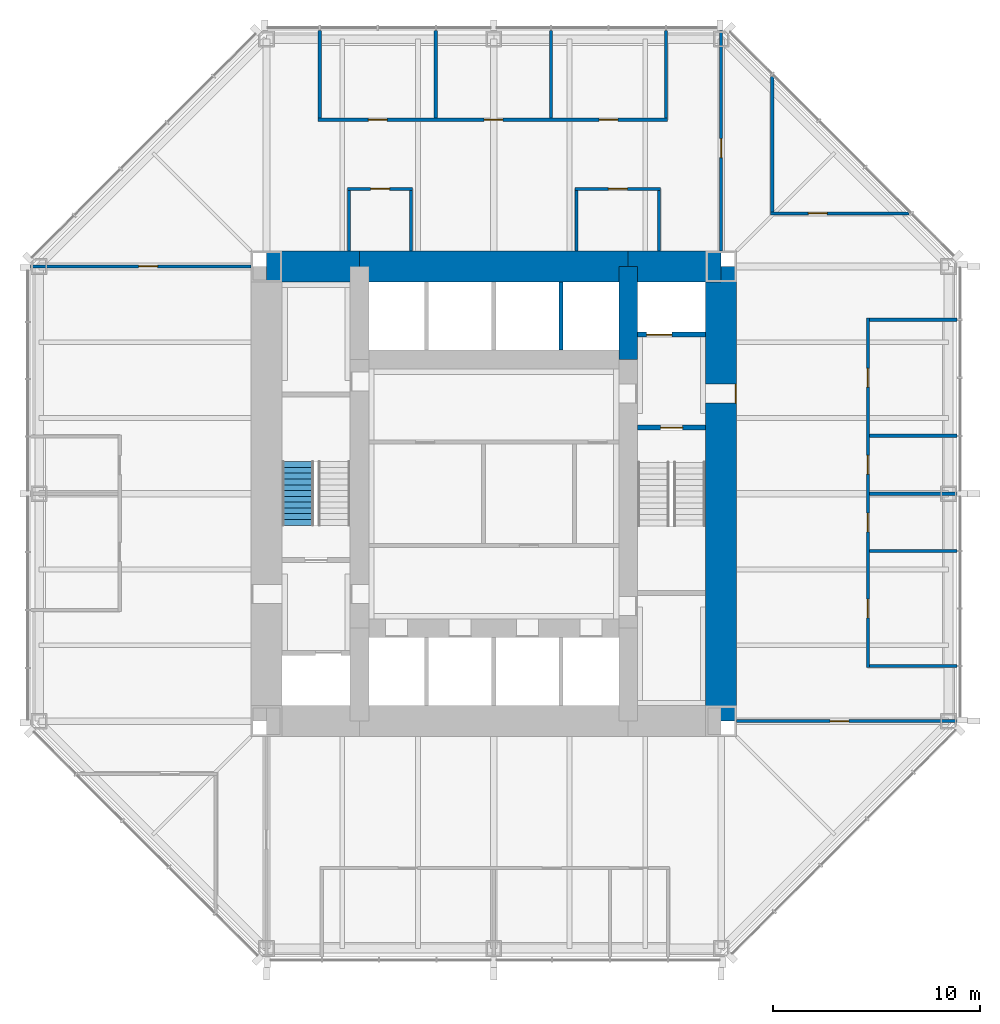
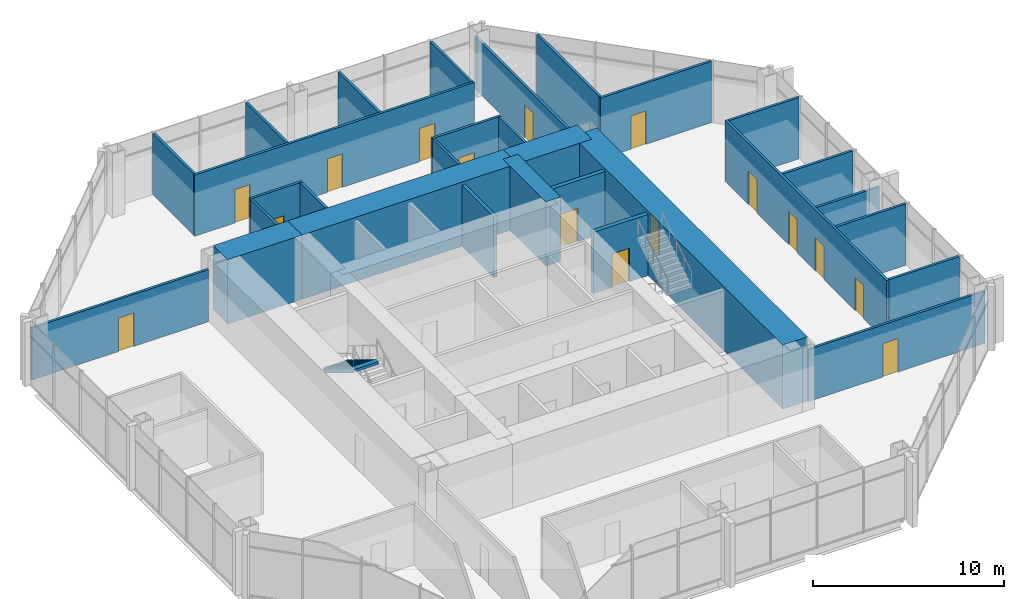
# One storey, part 10 of 12: 30 walls, 16 doors, 1 stair flight, 16 openings, 1 element without a shape of its own.
"""IFC4 building model written with IfcOpenShell, lengths in metres."""

from ifc_helpers import new_model, si_unit, direction, frame, frame_2d, origin, place, context, subcontext, project, spatial, polyline, rectangle, outline, extrude, material, layer, layer_set, type_object, element, fill, aggregate, save


model = new_model("IFC4")

# Units and contexts
model_context = context("Model", 3, precision=1e-05, world=origin(), true_north=direction((0.0, 1.0)))
body_context = subcontext(model_context, "Body", "Model", "MODEL_VIEW")
ifc_project = project(units=[si_unit("LENGTHUNIT", "METRE"), si_unit("AREAUNIT", "SQUARE_METRE"), si_unit("VOLUMEUNIT", "CUBIC_METRE"), si_unit("PLANEANGLEUNIT", "RADIAN"), si_unit("MASSUNIT", "GRAM", prefix="KILO")], contexts=[model_context])

# Site, building, storey
site_placement = place(None, origin())
site = spatial("IfcSite", under=ifc_project, at=site_placement, CompositionType="ELEMENT")
building_placement = place(site_placement, origin())
building = spatial("IfcBuilding", under=site, at=building_placement, Name="Trevanion Tower", CompositionType="ELEMENT")
storey_placement = place(building_placement, frame((0.0, 0.0, 150.0)))
storey = spatial("IfcBuildingStorey", under=building, at=storey_placement, Name="L35", CompositionType="ELEMENT", Elevation=150.0)

# Wall, opening, door
ifc_material_1 = material(Name="Concrete 10,000 psi", Category="concrete")
ifc_layer_1 = layer(ifc_material_1, 1.5)
ifc_layer_set_1 = layer_set([ifc_layer_1], Name="CW1 core wall 1500")
wall_type_1 = type_object("IfcWallType", Name="CW1 core wall 1500", PredefinedType="SHEAR", material=ifc_layer_set_1)
wall_1_placement = place(storey_placement, frame((11.0, -11.0, 0.0), z_axis=(0.0, 0.0, 1.0), x_axis=(0.0, 1.0, 0.0)))
wall_1 = element("IfcWall", 1, at=wall_1_placement, inside=storey, type_object=wall_type_1, Name="CW1 CE L35", PredefinedType="SHEAR", context=body_context, shape_type="SweptSolid", body=[
    extrude(rectangle(XDim=22.0, YDim=1.5, at=frame_2d((11.0, 0.0))), origin(), (0.0, 0.0, 1.0), 4.10009765625),
])
opening_1_placement = place(wall_1_placement, frame((15.392578125, 0.0, 0.0)))
opening_1 = element("IfcOpeningElement", 2, at=opening_1_placement, cuts=wall_1, Name="Opening 35-001", PredefinedType="OPENING", context=body_context, shape_type="SweptSolid", body=[
    extrude(rectangle(XDim=0.9150390625, YDim=2.134033203125, at=frame_2d((0.45751953125, 1.06689453125))), frame((0.0, 0.760009765625, 0.0), z_axis=(0.0, -1.0, 0.0), x_axis=(1.0, 0.0, 0.0)), (0.0, 0.0, 1.0), 1.52001953125),
])
ifc_material_2 = material(Name="Hollow metal, fire rated", Category="steel")
door_type_1 = type_object("IfcDoorType", Name="D3 fire lift lobby door", OperationType="SINGLE_SWING_RIGHT", PredefinedType="DOOR", material=ifc_material_2)
door_1_placement = place(opening_1_placement, origin())
door_1 = element("IfcDoor", 3, at=door_1_placement, inside=storey, type_object=door_type_1, Name="Door 35-001", OperationType="SINGLE_SWING_RIGHT", OverallHeight=2.134033203125, OverallWidth=0.9150390625, PredefinedType="DOOR", context=body_context, shape_type="SweptSolid", body=[
    extrude(rectangle(XDim=0.9150390625, YDim=2.134033203125, at=frame_2d((0.45751953125, 1.06689453125))), frame((0.0, -0.6748046875, 0.0), z_axis=(0.0, -1.0, 0.0), x_axis=(1.0, 0.0, 0.0)), (0.0, 0.0, 1.0), 0.050048828125),
])
fill(opening_1, door_1)

# Walls
wall_2_placement = place(storey_placement, frame((11.0, 11.0, 0.0), z_axis=(0.0, 0.0, 1.0), x_axis=(-1.0, 0.0, 0.0)))
element("IfcWall", 4, at=wall_2_placement, inside=storey, type_object=wall_type_1, Name="CW1 CN1 L35", PredefinedType="SHEAR", context=body_context, shape_type="SweptSolid", body=[
    extrude(rectangle(XDim=4.5, YDim=1.5, at=frame_2d((2.25, 0.0))), origin(), (0.0, 0.0, 1.0), 4.10009765625),
])
wall_3_placement = place(storey_placement, frame((6.5, 11.0, 0.0), z_axis=(0.0, 0.0, 1.0), x_axis=(-1.0, 0.0, 0.0)))
element("IfcWall", 5, at=wall_3_placement, inside=storey, type_object=wall_type_1, Name="CW1 CN2 L35", PredefinedType="SHEAR", context=body_context, shape_type="SweptSolid", body=[
    extrude(rectangle(XDim=13.0, YDim=1.5, at=frame_2d((6.5, 0.0))), origin(), (0.0, 0.0, 1.0), 4.10009765625),
])
wall_4_placement = place(storey_placement, frame((-6.5, 11.0, 0.0), z_axis=(0.0, 0.0, 1.0), x_axis=(-1.0, 0.0, 0.0)))
element("IfcWall", 6, at=wall_4_placement, inside=storey, type_object=wall_type_1, Name="CW1 CN3 L35", PredefinedType="SHEAR", context=body_context, shape_type="SweptSolid", body=[
    extrude(rectangle(XDim=4.5, YDim=1.5, at=frame_2d((2.25, 0.0))), origin(), (0.0, 0.0, 1.0), 4.10009765625),
])
ifc_material_3 = material(Name="Concrete 10,000 psi", Category="concrete")
ifc_layer_2 = layer(ifc_material_3, 0.89990234375)
ifc_layer_set_2 = layer_set([ifc_layer_2], Name="CW2 core wall 900")
wall_type_2 = type_object("IfcWallType", Name="CW2 core wall 900", PredefinedType="SHEAR", material=ifc_layer_set_2)
wall_5_placement = place(storey_placement, frame((6.5, 6.5, 0.0), z_axis=(0.0, 0.0, 1.0), x_axis=(0.0, 1.0, 0.0)))
element("IfcWall", 7, at=wall_5_placement, inside=storey, type_object=wall_type_2, Name="CW2 RE3 L35", PredefinedType="SHEAR", context=body_context, shape_type="SweptSolid", body=[
    extrude(rectangle(XDim=4.5, YDim=0.89990234375, at=frame_2d((2.25, 0.0))), origin(), (0.0, 0.0, 1.0), 4.10009765625),
])

# Wall, opening, door
ifc_material_4 = material(Name="Gypsum board on steel studs", Category="steel")
ifc_layer_3 = layer(ifc_material_4, 0.14990234375)
ifc_layer_set_3 = layer_set([ifc_layer_3], Name="PT1 partition 150")
wall_type_3 = type_object("IfcWallType", Name="PT1 partition 150", PredefinedType="PARTITIONING", material=ifc_layer_set_3)
wall_6_placement = place(storey_placement, frame((11.0, 11.75, 0.0), z_axis=(0.0, 0.0, 1.0), x_axis=(0.0, 1.0, 0.0)))
wall_6 = element("IfcWall", 8, at=wall_6_placement, inside=storey, type_object=wall_type_3, Name="PT1 L35 ZW0", PredefinedType="PARTITIONING", context=body_context, shape_type="SweptSolid", body=[
    extrude(rectangle(XDim=10.6650390625, YDim=0.14990234375, at=frame_2d((5.33251953125, 0.0))), origin(), (0.0, 0.0, 1.0), 3.32568359375),
])
opening_2_placement = place(wall_6_placement, frame((4.517578125, 0.0, 0.0)))
opening_2 = element("IfcOpeningElement", 9, at=opening_2_placement, cuts=wall_6, Name="Opening 35-018", PredefinedType="OPENING", context=body_context, shape_type="SweptSolid", body=[
    extrude(rectangle(XDim=0.9150390625, YDim=2.134033203125, at=frame_2d((0.45751953125, 1.06689453125))), frame((0.0, 0.0849609375, 0.0), z_axis=(0.0, -1.0, 0.0), x_axis=(1.0, 0.0, 0.0)), (0.0, 0.0, 1.0), 0.169921875),
])
ifc_material_5 = material(Name="Timber veneer, solid core", Category="wood")
door_type_2 = type_object("IfcDoorType", Name="D1 office and meeting room door", OperationType="SINGLE_SWING_LEFT", PredefinedType="DOOR", material=ifc_material_5)
door_2_placement = place(opening_2_placement, origin())
door_2 = element("IfcDoor", 10, at=door_2_placement, inside=storey, type_object=door_type_2, Name="Door 35-018", OperationType="SINGLE_SWING_LEFT", OverallHeight=2.134033203125, OverallWidth=0.9150390625, PredefinedType="DOOR", context=body_context, shape_type="SweptSolid", body=[
    extrude(rectangle(XDim=0.9150390625, YDim=2.134033203125, at=frame_2d((0.45751953125, 1.06689453125))), frame((0.0, 0.02490234375, 0.0), z_axis=(0.0, -1.0, 0.0), x_axis=(1.0, 0.0, 0.0)), (0.0, 0.0, 1.0), 0.050048828125),
])
fill(opening_2, door_2)

wall_7_placement = place(storey_placement, frame((-11.75, 11.0, 0.0), z_axis=(0.0, 0.0, 1.0), x_axis=(-1.0, 0.0, 0.0)))
wall_7 = element("IfcWall", 11, at=wall_7_placement, inside=storey, type_object=wall_type_3, Name="PT1 L35 ZW1", PredefinedType="PARTITIONING", context=body_context, shape_type="SweptSolid", body=[
    extrude(rectangle(XDim=10.6650390625, YDim=0.14990234375, at=frame_2d((5.33251953125, 0.0))), origin(), (0.0, 0.0, 1.0), 3.32568359375),
])
opening_3_placement = place(wall_7_placement, frame((4.517578125, 0.0, 0.0)))
opening_3 = element("IfcOpeningElement", 12, at=opening_3_placement, cuts=wall_7, Name="Opening 35-019", PredefinedType="OPENING", context=body_context, shape_type="SweptSolid", body=[
    extrude(rectangle(XDim=0.9150390625, YDim=2.134033203125, at=frame_2d((0.45751953125, 1.06689453125))), frame((0.0, 0.0849609375, 0.0), z_axis=(0.0, -1.0, 0.0), x_axis=(1.0, 0.0, 0.0)), (0.0, 0.0, 1.0), 0.169921875),
])
door_3_placement = place(opening_3_placement, origin())
door_3 = element("IfcDoor", 13, at=door_3_placement, inside=storey, type_object=door_type_2, Name="Door 35-019", OperationType="SINGLE_SWING_LEFT", OverallHeight=2.134033203125, OverallWidth=0.9150390625, PredefinedType="DOOR", context=body_context, shape_type="SweptSolid", body=[
    extrude(rectangle(XDim=0.9150390625, YDim=2.134033203125, at=frame_2d((0.45751953125, 1.06689453125))), frame((0.0, 0.02490234375, 0.0), z_axis=(0.0, -1.0, 0.0), x_axis=(1.0, 0.0, 0.0)), (0.0, 0.0, 1.0), 0.050048828125),
])
fill(opening_3, door_3)

wall_8_placement = place(storey_placement, frame((11.75, -11.0, 0.0), z_axis=(0.0, 0.0, 1.0), x_axis=(1.0, 0.0, 0.0)))
wall_8 = element("IfcWall", 14, at=wall_8_placement, inside=storey, type_object=wall_type_3, Name="PT1 L35 ZW3", PredefinedType="PARTITIONING", context=body_context, shape_type="SweptSolid", body=[
    extrude(rectangle(XDim=10.6650390625, YDim=0.14990234375, at=frame_2d((5.33251953125, 0.0))), origin(), (0.0, 0.0, 1.0), 3.32568359375),
])
opening_4_placement = place(wall_8_placement, frame((4.517578125, 0.0, 0.0)))
opening_4 = element("IfcOpeningElement", 15, at=opening_4_placement, cuts=wall_8, Name="Opening 35-021", PredefinedType="OPENING", context=body_context, shape_type="SweptSolid", body=[
    extrude(rectangle(XDim=0.9150390625, YDim=2.134033203125, at=frame_2d((0.45751953125, 1.06689453125))), frame((0.0, 0.0849609375, 0.0), z_axis=(0.0, -1.0, 0.0), x_axis=(1.0, 0.0, 0.0)), (0.0, 0.0, 1.0), 0.169921875),
])
door_4_placement = place(opening_4_placement, origin())
door_4 = element("IfcDoor", 16, at=door_4_placement, inside=storey, type_object=door_type_2, Name="Door 35-021", OperationType="SINGLE_SWING_LEFT", OverallHeight=2.134033203125, OverallWidth=0.9150390625, PredefinedType="DOOR", context=body_context, shape_type="SweptSolid", body=[
    extrude(rectangle(XDim=0.9150390625, YDim=2.134033203125, at=frame_2d((0.45751953125, 1.06689453125))), frame((0.0, 0.02490234375, 0.0), z_axis=(0.0, -1.0, 0.0), x_axis=(1.0, 0.0, 0.0)), (0.0, 0.0, 1.0), 0.050048828125),
])
fill(opening_4, door_4)

wall_9_placement = place(storey_placement, frame((13.39892578125, 13.56591796875, 0.0), z_axis=(0.0, 0.0, 1.0), x_axis=(1.0, 0.0, 0.0)))
wall_9 = element("IfcWall", 17, at=wall_9_placement, inside=storey, type_object=wall_type_3, Name="PT1 L35 KW0a", PredefinedType="PARTITIONING", context=body_context, shape_type="SweptSolid", body=[
    extrude(rectangle(XDim=6.697998046875, YDim=0.14990234375, at=frame_2d((3.34912109375, 0.0))), origin(), (0.0, 0.0, 1.0), 3.909912109375),
])
opening_5_placement = place(wall_9_placement, frame((1.8173828125, 0.0, 0.0)))
opening_5 = element("IfcOpeningElement", 18, at=opening_5_placement, cuts=wall_9, Name="Opening 35-022", PredefinedType="OPENING", context=body_context, shape_type="SweptSolid", body=[
    extrude(rectangle(XDim=0.9150390625, YDim=2.134033203125, at=frame_2d((0.45751953125, 1.06689453125))), frame((0.0, 0.0849609375, 0.0), z_axis=(0.0, -1.0, 0.0), x_axis=(1.0, 0.0, 0.0)), (0.0, 0.0, 1.0), 0.169921875),
])
door_5_placement = place(opening_5_placement, origin())
door_5 = element("IfcDoor", 19, at=door_5_placement, inside=storey, type_object=door_type_2, Name="Door 35-022", OperationType="SINGLE_SWING_LEFT", OverallHeight=2.134033203125, OverallWidth=0.9150390625, PredefinedType="DOOR", context=body_context, shape_type="SweptSolid", body=[
    extrude(rectangle(XDim=0.9150390625, YDim=2.134033203125, at=frame_2d((0.45751953125, 1.06689453125))), frame((0.0, 0.02490234375, 0.0), z_axis=(0.0, -1.0, 0.0), x_axis=(1.0, 0.0, 0.0)), (0.0, 0.0, 1.0), 0.050048828125),
])
fill(opening_5, door_5)

# Wall
wall_10_placement = place(storey_placement, frame((13.47412109375, 13.64111328125, 0.0), z_axis=(0.0, 0.0, 1.0), x_axis=(0.0, 1.0, 0.0)))
element("IfcWall", 20, at=wall_10_placement, inside=storey, type_object=wall_type_3, Name="PT1 L35 KW0b", PredefinedType="PARTITIONING", context=body_context, shape_type="SweptSolid", body=[
    extrude(rectangle(XDim=6.5478515625, YDim=0.14990234375, at=frame_2d((3.27392578125, 0.0))), origin(), (0.0, 0.0, 1.0), 3.909912109375),
])

# Wall, openings, doors
wall_11_placement = place(storey_placement, frame((8.39794921875, 18.10009765625, 0.0), z_axis=(0.0, 0.0, 1.0), x_axis=(-1.0, 0.0, 0.0)))
wall_11 = element("IfcWall", 21, at=wall_11_placement, inside=storey, type_object=wall_type_3, Name="PT1 L35 FC1F", PredefinedType="PARTITIONING", context=body_context, shape_type="SweptSolid", body=[
    extrude(rectangle(XDim=16.89404296875, YDim=0.14990234375, at=frame_2d((8.447021484375, 0.0))), origin(), (0.0, 0.0, 1.0), 3.909912109375),
])
opening_6_placement = place(wall_11_placement, frame((2.3916015625, 0.0, 0.0)))
opening_6 = element("IfcOpeningElement", 22, at=opening_6_placement, cuts=wall_11, Name="Opening 35-024", PredefinedType="OPENING", context=body_context, shape_type="SweptSolid", body=[
    extrude(rectangle(XDim=0.9150390625, YDim=2.134033203125, at=frame_2d((0.45751953125, 1.06689453125))), frame((0.0, 0.0849609375, 0.0), z_axis=(0.0, -1.0, 0.0), x_axis=(1.0, 0.0, 0.0)), (0.0, 0.0, 1.0), 0.169921875),
])
opening_7_placement = place(wall_11_placement, frame((7.95654296875, 0.0, 0.0)))
opening_7 = element("IfcOpeningElement", 23, at=opening_7_placement, cuts=wall_11, Name="Opening 35-025", PredefinedType="OPENING", context=body_context, shape_type="SweptSolid", body=[
    extrude(rectangle(XDim=0.9150390625, YDim=2.134033203125, at=frame_2d((0.45751953125, 1.06689453125))), frame((0.0, 0.0849609375, 0.0), z_axis=(0.0, -1.0, 0.0), x_axis=(1.0, 0.0, 0.0)), (0.0, 0.0, 1.0), 0.169921875),
])
opening_8_placement = place(wall_11_placement, frame((13.554443359375, 0.0, 0.0)))
opening_8 = element("IfcOpeningElement", 24, at=opening_8_placement, cuts=wall_11, Name="Opening 35-026", PredefinedType="OPENING", context=body_context, shape_type="SweptSolid", body=[
    extrude(rectangle(XDim=0.9150390625, YDim=2.134033203125, at=frame_2d((0.45751953125, 1.06689453125))), frame((0.0, 0.0849609375, 0.0), z_axis=(0.0, -1.0, 0.0), x_axis=(1.0, 0.0, 0.0)), (0.0, 0.0, 1.0), 0.169921875),
])
door_6_placement = place(opening_6_placement, origin())
door_6 = element("IfcDoor", 25, at=door_6_placement, inside=storey, type_object=door_type_2, Name="Door 35-024", OperationType="SINGLE_SWING_LEFT", OverallHeight=2.134033203125, OverallWidth=0.9150390625, PredefinedType="DOOR", context=body_context, shape_type="SweptSolid", body=[
    extrude(rectangle(XDim=0.9150390625, YDim=2.134033203125, at=frame_2d((0.45751953125, 1.06689453125))), frame((0.0, 0.02490234375, 0.0), z_axis=(0.0, -1.0, 0.0), x_axis=(1.0, 0.0, 0.0)), (0.0, 0.0, 1.0), 0.050048828125),
])
fill(opening_6, door_6)
door_7_placement = place(opening_7_placement, origin())
door_7 = element("IfcDoor", 26, at=door_7_placement, inside=storey, type_object=door_type_2, Name="Door 35-025", OperationType="SINGLE_SWING_LEFT", OverallHeight=2.134033203125, OverallWidth=0.9150390625, PredefinedType="DOOR", context=body_context, shape_type="SweptSolid", body=[
    extrude(rectangle(XDim=0.9150390625, YDim=2.134033203125, at=frame_2d((0.45751953125, 1.06689453125))), frame((0.0, 0.02490234375, 0.0), z_axis=(0.0, -1.0, 0.0), x_axis=(1.0, 0.0, 0.0)), (0.0, 0.0, 1.0), 0.050048828125),
])
fill(opening_7, door_7)
door_8_placement = place(opening_8_placement, origin())
door_8 = element("IfcDoor", 27, at=door_8_placement, inside=storey, type_object=door_type_2, Name="Door 35-026", OperationType="SINGLE_SWING_LEFT", OverallHeight=2.134033203125, OverallWidth=0.9150390625, PredefinedType="DOOR", context=body_context, shape_type="SweptSolid", body=[
    extrude(rectangle(XDim=0.9150390625, YDim=2.134033203125, at=frame_2d((0.45751953125, 1.06689453125))), frame((0.0, 0.02490234375, 0.0), z_axis=(0.0, -1.0, 0.0), x_axis=(1.0, 0.0, 0.0)), (0.0, 0.0, 1.0), 0.050048828125),
])
fill(opening_8, door_8)

# Walls
for number, where, z_axis, x_axis, name in (
    (28, (8.322998046875, 18.175048828125, 0.0), (0.0, 0.0, 1.0), (0.0, 1.0, 0.0), "PT1 L35 FC1S0"),
    (29, (2.77490234375, 18.175048828125, 0.0), (0.0, 0.0, 1.0), (0.0, 1.0, 0.0), "PT1 L35 FC1S2"),
    (30, (-2.806884765625, 18.175048828125, 0.0), (0.0, 0.0, 1.0), (0.0, 1.0, 0.0), "PT1 L35 FC1S4"),
    (31, (-8.4208984375, 18.175048828125, 0.0), (0.0, 0.0, 1.0), (0.0, 1.0, 0.0), "PT1 L35 FC1S6"),
):
    element("IfcWall", number, at=place(storey_placement, frame(where, z_axis=z_axis, x_axis=x_axis)), inside=storey, type_object=wall_type_3, Name=name, PredefinedType="PARTITIONING", context=body_context, shape_type="SweptSolid", body=[
        extrude(rectangle(XDim=4.239990234375, YDim=0.14990234375, at=frame_2d((2.1201171875, 0.0))), origin(), (0.0, 0.0, 1.0), 3.909912109375),
    ])

# Wall, openings, doors
wall_12_placement = place(storey_placement, frame((18.10009765625, -8.39794921875, 0.0), z_axis=(0.0, 0.0, 1.0), x_axis=(0.0, 1.0, 0.0)))
wall_12 = element("IfcWall", 32, at=wall_12_placement, inside=storey, type_object=wall_type_3, Name="PT1 L35 FC0F", PredefinedType="PARTITIONING", context=body_context, shape_type="SweptSolid", body=[
    extrude(rectangle(XDim=16.89404296875, YDim=0.14990234375, at=frame_2d((8.447021484375, 0.0))), origin(), (0.0, 0.0, 1.0), 3.909912109375),
])
opening_9_placement = place(wall_12_placement, frame((2.3916015625, 0.0, 0.0)))
opening_9 = element("IfcOpeningElement", 33, at=opening_9_placement, cuts=wall_12, Name="Opening 35-030", PredefinedType="OPENING", context=body_context, shape_type="SweptSolid", body=[
    extrude(rectangle(XDim=0.9150390625, YDim=2.134033203125, at=frame_2d((0.45751953125, 1.06689453125))), frame((0.0, 0.0849609375, 0.0), z_axis=(0.0, -1.0, 0.0), x_axis=(1.0, 0.0, 0.0)), (0.0, 0.0, 1.0), 0.169921875),
])
opening_10_placement = place(wall_12_placement, frame((6.552978515625, 0.0, 0.0)))
opening_10 = element("IfcOpeningElement", 34, at=opening_10_placement, cuts=wall_12, Name="Opening 35-031", PredefinedType="OPENING", context=body_context, shape_type="SweptSolid", body=[
    extrude(rectangle(XDim=0.9150390625, YDim=2.134033203125, at=frame_2d((0.45751953125, 1.06689453125))), frame((0.0, 0.0849609375, 0.0), z_axis=(0.0, -1.0, 0.0), x_axis=(1.0, 0.0, 0.0)), (0.0, 0.0, 1.0), 0.169921875),
])
opening_11_placement = place(wall_12_placement, frame((9.343994140625, 0.0, 0.0)))
opening_11 = element("IfcOpeningElement", 35, at=opening_11_placement, cuts=wall_12, Name="Opening 35-032", PredefinedType="OPENING", context=body_context, shape_type="SweptSolid", body=[
    extrude(rectangle(XDim=0.9150390625, YDim=2.134033203125, at=frame_2d((0.45751953125, 1.06689453125))), frame((0.0, 0.0849609375, 0.0), z_axis=(0.0, -1.0, 0.0), x_axis=(1.0, 0.0, 0.0)), (0.0, 0.0, 1.0), 0.169921875),
])
opening_12_placement = place(wall_12_placement, frame((13.554443359375, 0.0, 0.0)))
opening_12 = element("IfcOpeningElement", 36, at=opening_12_placement, cuts=wall_12, Name="Opening 35-033", PredefinedType="OPENING", context=body_context, shape_type="SweptSolid", body=[
    extrude(rectangle(XDim=0.9150390625, YDim=2.134033203125, at=frame_2d((0.45751953125, 1.06689453125))), frame((0.0, 0.0849609375, 0.0), z_axis=(0.0, -1.0, 0.0), x_axis=(1.0, 0.0, 0.0)), (0.0, 0.0, 1.0), 0.169921875),
])
door_9_placement = place(opening_9_placement, origin())
door_9 = element("IfcDoor", 37, at=door_9_placement, inside=storey, type_object=door_type_2, Name="Door 35-030", OperationType="SINGLE_SWING_LEFT", OverallHeight=2.134033203125, OverallWidth=0.9150390625, PredefinedType="DOOR", context=body_context, shape_type="SweptSolid", body=[
    extrude(rectangle(XDim=0.9150390625, YDim=2.134033203125, at=frame_2d((0.45751953125, 1.06689453125))), frame((0.0, 0.02490234375, 0.0), z_axis=(0.0, -1.0, 0.0), x_axis=(1.0, 0.0, 0.0)), (0.0, 0.0, 1.0), 0.050048828125),
])
fill(opening_9, door_9)
door_10_placement = place(opening_10_placement, origin())
door_10 = element("IfcDoor", 38, at=door_10_placement, inside=storey, type_object=door_type_2, Name="Door 35-031", OperationType="SINGLE_SWING_LEFT", OverallHeight=2.134033203125, OverallWidth=0.9150390625, PredefinedType="DOOR", context=body_context, shape_type="SweptSolid", body=[
    extrude(rectangle(XDim=0.9150390625, YDim=2.134033203125, at=frame_2d((0.45751953125, 1.06689453125))), frame((0.0, 0.02490234375, 0.0), z_axis=(0.0, -1.0, 0.0), x_axis=(1.0, 0.0, 0.0)), (0.0, 0.0, 1.0), 0.050048828125),
])
fill(opening_10, door_10)
door_11_placement = place(opening_11_placement, origin())
door_11 = element("IfcDoor", 39, at=door_11_placement, inside=storey, type_object=door_type_2, Name="Door 35-032", OperationType="SINGLE_SWING_LEFT", OverallHeight=2.134033203125, OverallWidth=0.9150390625, PredefinedType="DOOR", context=body_context, shape_type="SweptSolid", body=[
    extrude(rectangle(XDim=0.9150390625, YDim=2.134033203125, at=frame_2d((0.45751953125, 1.06689453125))), frame((0.0, 0.02490234375, 0.0), z_axis=(0.0, -1.0, 0.0), x_axis=(1.0, 0.0, 0.0)), (0.0, 0.0, 1.0), 0.050048828125),
])
fill(opening_11, door_11)
door_12_placement = place(opening_12_placement, origin())
door_12 = element("IfcDoor", 40, at=door_12_placement, inside=storey, type_object=door_type_2, Name="Door 35-033", OperationType="SINGLE_SWING_LEFT", OverallHeight=2.134033203125, OverallWidth=0.9150390625, PredefinedType="DOOR", context=body_context, shape_type="SweptSolid", body=[
    extrude(rectangle(XDim=0.9150390625, YDim=2.134033203125, at=frame_2d((0.45751953125, 1.06689453125))), frame((0.0, 0.02490234375, 0.0), z_axis=(0.0, -1.0, 0.0), x_axis=(1.0, 0.0, 0.0)), (0.0, 0.0, 1.0), 0.050048828125),
])
fill(opening_12, door_12)

# Walls
for number, where, z_axis, x_axis, name in (
    (41, (18.175048828125, -8.322998046875, 0.0), (0.0, 0.0, 1.0), (1.0, 0.0, 0.0), "PT1 L35 FC0S0"),
    (42, (18.175048828125, -2.77490234375, 0.0), (0.0, 0.0, 1.0), (1.0, 0.0, 0.0), "PT1 L35 FC0S2"),
):
    element("IfcWall", number, at=place(storey_placement, frame(where, z_axis=z_axis, x_axis=x_axis)), inside=storey, type_object=wall_type_3, Name=name, PredefinedType="PARTITIONING", context=body_context, shape_type="SweptSolid", body=[
        extrude(rectangle(XDim=4.239990234375, YDim=0.14990234375, at=frame_2d((2.1201171875, 0.0))), origin(), (0.0, 0.0, 1.0), 3.909912109375),
    ])
wall_13_placement = place(storey_placement, frame((18.175048828125, 0.0, 0.0), z_axis=(0.0, 0.0, 1.0), x_axis=(1.0, 0.0, 0.0)))
element("IfcWall", 43, at=wall_13_placement, inside=storey, type_object=wall_type_3, Name="PT1 L35 FC0S3", PredefinedType="PARTITIONING", context=body_context, shape_type="SweptSolid", body=[
    extrude(rectangle(XDim=4.239990234375, YDim=0.14990234375, at=frame_2d((2.1201171875, 0.0))), origin(), (0.0, 0.0, 1.0), 3.32568359375),
])
for number, where, z_axis, x_axis, name in (
    (44, (18.175048828125, 2.806884765625, 0.0), (0.0, 0.0, 1.0), (1.0, 0.0, 0.0), "PT1 L35 FC0S4"),
    (45, (18.175048828125, 8.4208984375, 0.0), (0.0, 0.0, 1.0), (1.0, 0.0, 0.0), "PT1 L35 FC0S6"),
):
    element("IfcWall", number, at=place(storey_placement, frame(where, z_axis=z_axis, x_axis=x_axis)), inside=storey, type_object=wall_type_3, Name=name, PredefinedType="PARTITIONING", context=body_context, shape_type="SweptSolid", body=[
        extrude(rectangle(XDim=4.239990234375, YDim=0.14990234375, at=frame_2d((2.1201171875, 0.0))), origin(), (0.0, 0.0, 1.0), 3.909912109375),
    ])

# Wall, opening, door
wall_14_placement = place(storey_placement, frame((8.074951171875, 14.75, 0.0), z_axis=(0.0, 0.0, 1.0), x_axis=(-1.0, 0.0, 0.0)))
wall_14 = element("IfcWall", 46, at=wall_14_placement, inside=storey, type_object=wall_type_3, Name="PT1 L35 IN10F", PredefinedType="PARTITIONING", context=body_context, shape_type="SweptSolid", body=[
    extrude(rectangle(XDim=4.14990234375, YDim=0.14990234375, at=frame_2d((2.074951171875, 0.0))), origin(), (0.0, 0.0, 1.0), 3.909912109375),
])
opening_13_placement = place(wall_14_placement, frame((1.617431640625, 0.0, 0.0)))
opening_13 = element("IfcOpeningElement", 47, at=opening_13_placement, cuts=wall_14, Name="Opening 35-036", PredefinedType="OPENING", context=body_context, shape_type="SweptSolid", body=[
    extrude(rectangle(XDim=0.9150390625, YDim=2.134033203125, at=frame_2d((0.45751953125, 1.06689453125))), frame((0.0, 0.0849609375, 0.0), z_axis=(0.0, -1.0, 0.0), x_axis=(1.0, 0.0, 0.0)), (0.0, 0.0, 1.0), 0.169921875),
])
door_13_placement = place(opening_13_placement, origin())
door_13 = element("IfcDoor", 48, at=door_13_placement, inside=storey, type_object=door_type_2, Name="Door 35-036", OperationType="SINGLE_SWING_LEFT", OverallHeight=2.134033203125, OverallWidth=0.9150390625, PredefinedType="DOOR", context=body_context, shape_type="SweptSolid", body=[
    extrude(rectangle(XDim=0.9150390625, YDim=2.134033203125, at=frame_2d((0.45751953125, 1.06689453125))), frame((0.0, 0.02490234375, 0.0), z_axis=(0.0, -1.0, 0.0), x_axis=(1.0, 0.0, 0.0)), (0.0, 0.0, 1.0), 0.050048828125),
])
fill(opening_13, door_13)

# Walls
for number, where, z_axis, x_axis, name in (
    (49, (8.0, 14.675048828125, 0.0), (0.0, 0.0, 1.0), (0.0, -1.0, 0.0), "PT1 L35 IN10S0"),
    (50, (4.0, 14.675048828125, 0.0), (0.0, 0.0, 1.0), (0.0, -1.0, 0.0), "PT1 L35 IN10S1"),
):
    element("IfcWall", number, at=place(storey_placement, frame(where, z_axis=z_axis, x_axis=x_axis)), inside=storey, type_object=wall_type_3, Name=name, PredefinedType="PARTITIONING", context=body_context, shape_type="SweptSolid", body=[
        extrude(rectangle(XDim=2.925048828125, YDim=0.14990234375, at=frame_2d((1.46240234375, 0.0))), origin(), (0.0, 0.0, 1.0), 3.909912109375),
    ])

# Wall, opening, door
wall_15_placement = place(storey_placement, frame((-3.925048828125, 14.75, 0.0), z_axis=(0.0, 0.0, 1.0), x_axis=(-1.0, 0.0, 0.0)))
wall_15 = element("IfcWall", 51, at=wall_15_placement, inside=storey, type_object=wall_type_3, Name="PT1 L35 IN11F", PredefinedType="PARTITIONING", context=body_context, shape_type="SweptSolid", body=[
    extrude(rectangle(XDim=3.14990234375, YDim=0.14990234375, at=frame_2d((1.574951171875, 0.0))), origin(), (0.0, 0.0, 1.0), 3.909912109375),
])
opening_14_placement = place(wall_15_placement, frame((1.117431640625, 0.0, 0.0)))
opening_14 = element("IfcOpeningElement", 52, at=opening_14_placement, cuts=wall_15, Name="Opening 35-037", PredefinedType="OPENING", context=body_context, shape_type="SweptSolid", body=[
    extrude(rectangle(XDim=0.9150390625, YDim=2.134033203125, at=frame_2d((0.45751953125, 1.06689453125))), frame((0.0, 0.0849609375, 0.0), z_axis=(0.0, -1.0, 0.0), x_axis=(1.0, 0.0, 0.0)), (0.0, 0.0, 1.0), 0.169921875),
])
door_14_placement = place(opening_14_placement, origin())
door_14 = element("IfcDoor", 53, at=door_14_placement, inside=storey, type_object=door_type_2, Name="Door 35-037", OperationType="SINGLE_SWING_LEFT", OverallHeight=2.134033203125, OverallWidth=0.9150390625, PredefinedType="DOOR", context=body_context, shape_type="SweptSolid", body=[
    extrude(rectangle(XDim=0.9150390625, YDim=2.134033203125, at=frame_2d((0.45751953125, 1.06689453125))), frame((0.0, 0.02490234375, 0.0), z_axis=(0.0, -1.0, 0.0), x_axis=(1.0, 0.0, 0.0)), (0.0, 0.0, 1.0), 0.050048828125),
])
fill(opening_14, door_14)

# Walls
for number, where, z_axis, x_axis, name in (
    (54, (-4.0, 14.675048828125, 0.0), (0.0, 0.0, 1.0), (0.0, -1.0, 0.0), "PT1 L35 IN11S0"),
    (55, (-7.0, 14.675048828125, 0.0), (0.0, 0.0, 1.0), (0.0, -1.0, 0.0), "PT1 L35 IN11S1"),
):
    element("IfcWall", number, at=place(storey_placement, frame(where, z_axis=z_axis, x_axis=x_axis)), inside=storey, type_object=wall_type_3, Name=name, PredefinedType="PARTITIONING", context=body_context, shape_type="SweptSolid", body=[
        extrude(rectangle(XDim=2.925048828125, YDim=0.14990234375, at=frame_2d((1.46240234375, 0.0))), origin(), (0.0, 0.0, 1.0), 3.909912109375),
    ])
ifc_material_6 = material(Name="Concrete masonry, grouted", Category="masonry")
ifc_layer_4 = layer(ifc_material_6, 0.199951171875)
ifc_layer_set_4 = layer_set([ifc_layer_4], Name="PT2 partition 200 2 HR")
wall_type_4 = type_object("IfcWallType", Name="PT2 partition 200 2 HR", PredefinedType="PARTITIONING", material=ifc_layer_set_4)
wall_16_placement = place(storey_placement, frame((3.25, 6.949951171875, 0.0), z_axis=(0.0, 0.0, 1.0), x_axis=(0.0, 1.0, 0.0)))
element("IfcWall", 56, at=wall_16_placement, inside=storey, type_object=wall_type_4, Name="PT2 L35 NS2", PredefinedType="PARTITIONING", context=body_context, shape_type="SweptSolid", body=[
    extrude(rectangle(XDim=3.300048828125, YDim=0.199951171875, at=frame_2d((1.64990234375, 0.0))), origin(), (0.0, 0.0, 1.0), 3.909912109375),
])

# Wall, opening, door
ifc_material_7 = material(Name="Concrete masonry, grouted, two-hour", Category="masonry")
ifc_layer_5 = layer(ifc_material_7, 0.25)
ifc_layer_set_5 = layer_set([ifc_layer_5], Name="PT3 partition 250 2 HR")
wall_type_5 = type_object("IfcWallType", Name="PT3 partition 250 2 HR", PredefinedType="PARTITIONING", material=ifc_layer_set_5)
wall_17_placement = place(storey_placement, frame((6.949951171875, 7.699951171875, 0.0), z_axis=(0.0, 0.0, 1.0), x_axis=(1.0, 0.0, 0.0)))
wall_17 = element("IfcWall", 57, at=wall_17_placement, inside=storey, type_object=wall_type_5, Name="PT3 L35 EP3", PredefinedType="PARTITIONING", context=body_context, shape_type="SweptSolid", body=[
    extrude(rectangle(XDim=3.300048828125, YDim=0.25, at=frame_2d((1.64990234375, 0.0))), origin(), (0.0, 0.0, 1.0), 3.909912109375),
])
opening_15_placement = place(wall_17_placement, frame((0.449951171875, 0.0, 0.0)))
opening_15 = element("IfcOpeningElement", 58, at=opening_15_placement, cuts=wall_17, Name="Opening 35-007", PredefinedType="OPENING", context=body_context, shape_type="SweptSolid", body=[
    extrude(rectangle(XDim=1.218994140625, YDim=2.134033203125, at=frame_2d((0.609375, 1.06689453125))), frame((0.0, 0.135009765625, 0.0), z_axis=(0.0, -1.0, 0.0), x_axis=(1.0, 0.0, 0.0)), (0.0, 0.0, 1.0), 0.27001953125),
])
ifc_material_8 = material(Name="Stainless steel, fire rated", Category="steel")
door_type_3 = type_object("IfcDoorType", Name="LD2 fire service lift landing door", OperationType="SLIDING_TO_LEFT", PredefinedType="DOOR", material=ifc_material_8)
door_15_placement = place(opening_15_placement, origin())
door_15 = element("IfcDoor", 59, at=door_15_placement, inside=storey, type_object=door_type_3, Name="Door 35-007", OperationType="SLIDING_TO_LEFT", OverallHeight=2.134033203125, OverallWidth=1.218994140625, PredefinedType="DOOR", context=body_context, shape_type="SweptSolid", body=[
    extrude(rectangle(XDim=1.218994140625, YDim=2.134033203125, at=frame_2d((0.609375, 1.06689453125))), frame((0.0, 0.02490234375, 0.0), z_axis=(0.0, -1.0, 0.0), x_axis=(1.0, 0.0, 0.0)), (0.0, 0.0, 1.0), 0.050048828125),
])
fill(opening_15, door_15)

ifc_material_9 = material(Name="Reinforced masonry, fully grouted", Category="masonry")
ifc_layer_6 = layer(ifc_material_9, 0.25)
ifc_layer_set_6 = layer_set([ifc_layer_6], Name="SW1 stair shaft wall 250")
wall_type_6 = type_object("IfcWallType", Name="SW1 stair shaft wall 250", PredefinedType="SOLIDWALL", material=ifc_layer_set_6)
wall_18_placement = place(storey_placement, frame((6.949951171875, 3.199951171875, 0.0), z_axis=(0.0, 0.0, 1.0), x_axis=(1.0, 0.0, 0.0)))
wall_18 = element("IfcWall", 60, at=wall_18_placement, inside=storey, type_object=wall_type_6, Name="SW1 L35 EP2", PredefinedType="SOLIDWALL", context=body_context, shape_type="SweptSolid", body=[
    extrude(rectangle(XDim=3.300048828125, YDim=0.25, at=frame_2d((1.64990234375, 0.0))), origin(), (0.0, 0.0, 1.0), 3.909912109375),
])
opening_16_placement = place(wall_18_placement, frame((1.116455078125, 0.0, 0.0)))
opening_16 = element("IfcOpeningElement", 61, at=opening_16_placement, cuts=wall_18, Name="Opening 35-005", PredefinedType="OPENING", context=body_context, shape_type="SweptSolid", body=[
    extrude(rectangle(XDim=1.06689453125, YDim=2.134033203125, at=frame_2d((0.533447265625, 1.06689453125))), frame((0.0, 0.135009765625, 0.0), z_axis=(0.0, -1.0, 0.0), x_axis=(1.0, 0.0, 0.0)), (0.0, 0.0, 1.0), 0.27001953125),
])
ifc_material_10 = material(Name="Hollow metal, fire rated", Category="steel")
door_type_4 = type_object("IfcDoorType", Name="D2 exit stair door", OperationType="SINGLE_SWING_LEFT", PredefinedType="DOOR", material=ifc_material_10)
door_16_placement = place(opening_16_placement, origin())
door_16 = element("IfcDoor", 62, at=door_16_placement, inside=storey, type_object=door_type_4, Name="Door 35-005", OperationType="SINGLE_SWING_LEFT", OverallHeight=2.134033203125, OverallWidth=1.06689453125, PredefinedType="DOOR", context=body_context, shape_type="SweptSolid", body=[
    extrude(rectangle(XDim=1.06689453125, YDim=2.134033203125, at=frame_2d((0.533447265625, 1.06689453125))), frame((0.0, 0.02490234375, 0.0), z_axis=(0.0, -1.0, 0.0), x_axis=(1.0, 0.0, 0.0)), (0.0, 0.0, 1.0), 0.050048828125),
])
fill(opening_16, door_16)

# Stair, stair flight
ifc_material_11 = material(Name="Concrete 5,000 psi on steel stringers", Category="concrete")
stair_type = type_object("IfcStairType", Name="ST stair", PredefinedType="HALF_TURN_STAIR", material=ifc_material_11)
stair_placement = place(storey_placement, origin())
stair = element("IfcStair", 63, at=stair_placement, inside=storey, type_object=stair_type, Name="ST2 L35", PredefinedType="HALF_TURN_STAIR")
ifc_material_12 = material(Name="Concrete 5,000 psi in steel pan", Category="concrete")
stair_flight_type = type_object("IfcStairFlightType", Name="STF stair flight", PredefinedType="STRAIGHT", material=ifc_material_12)
stair_flight_placement = place(storey_placement, frame((-9.47509765625, 1.554931640625, 2.050048828125), z_axis=(0.0, 0.0, 1.0), x_axis=(0.0, -1.0, 0.0)))
stair_flight = element("IfcStairFlight", 64, at=stair_flight_placement, type_object=stair_flight_type, Name="ST2 flight 2", NumberOfRisers=12, NumberOfTreads=11, PredefinedType="STRAIGHT", RiserHeight=0.170833333, TreadLength=0.28, context=body_context, shape_type="SweptSolid", body=[
    extrude(outline(polyline([(0.0, 0.0), (0.0, 0.1708984375), (0.280029296875, 0.1708984375), (0.280029296875, 0.341552734375), (0.56005859375, 0.341552734375), (0.56005859375, 0.512451171875), (0.840087890625, 0.512451171875), (0.840087890625, 0.683349609375), (1.1201171875, 0.683349609375), (1.1201171875, 0.854248046875), (1.39990234375, 0.854248046875), (1.39990234375, 1.02490234375), (1.679931640625, 1.02490234375), (1.679931640625, 1.19580078125), (1.9599609375, 1.19580078125), (1.9599609375, 1.36669921875), (2.239990234375, 1.36669921875), (2.239990234375, 1.53759765625), (2.52001953125, 1.53759765625), (2.52001953125, 1.708251953125), (2.800048828125, 1.708251953125), (2.800048828125, 1.879150390625), (3.080078125, 1.879150390625), (3.080078125, 2.050048828125), (3.080078125, 1.70361328125), (0.287841796875, 0.0), (0.0, 0.0)])), frame((0.0, 0.77490234375, 0.0), z_axis=(0.0, -1.0, 0.0), x_axis=(1.0, 0.0, 0.0)), (0.0, 0.0, 1.0), 1.550048828125),
])
aggregate(stair, [stair_flight])

save(model, "model.ifc")
